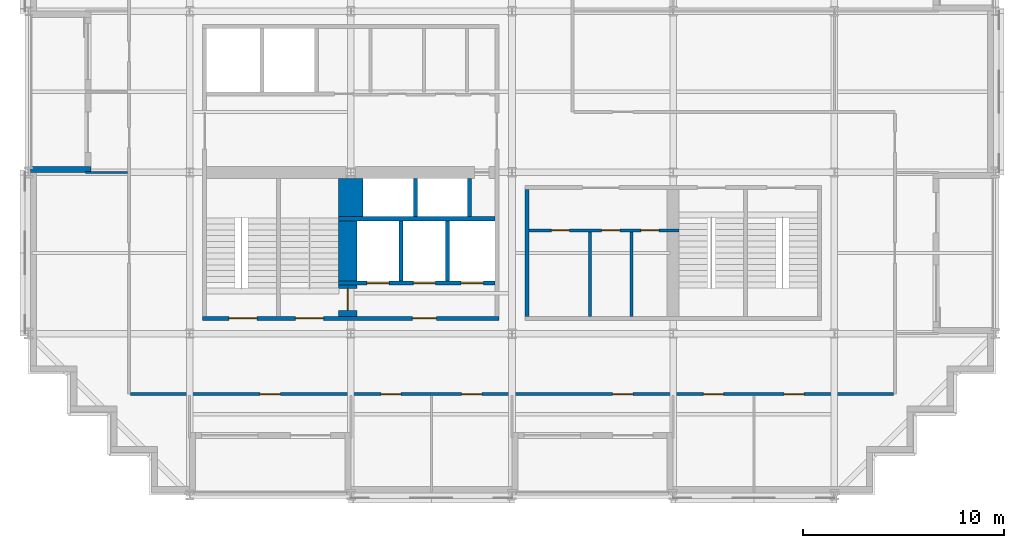
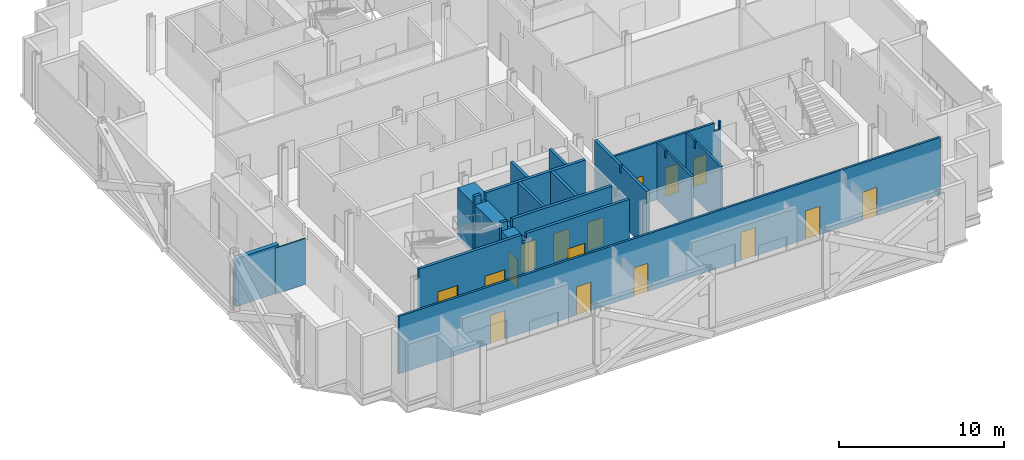
# One storey, part 5 of 12: 17 walls, 16 doors, 16 openings.
"""IFC4 building model written with IfcOpenShell, lengths in metres."""

from ifc_helpers import new_model, si_unit, direction, frame, frame_2d, origin, place, context, subcontext, project, spatial, polyline, rectangle, outline, extrude, material, layer, layer_set, type_object, element, fill, save


model = new_model("IFC4")

# Units and contexts
model_context = context("Model", 3, precision=1e-05, world=origin(), true_north=direction((0.0, 1.0)))
body_context = subcontext(model_context, "Body", "Model", "MODEL_VIEW")
ifc_project = project(units=[si_unit("LENGTHUNIT", "METRE"), si_unit("AREAUNIT", "SQUARE_METRE"), si_unit("VOLUMEUNIT", "CUBIC_METRE"), si_unit("PLANEANGLEUNIT", "RADIAN"), si_unit("MASSUNIT", "GRAM", prefix="KILO")], contexts=[model_context])

# Site, building, storey
site_placement = place(None, origin())
site = spatial("IfcSite", under=ifc_project, at=site_placement, CompositionType="ELEMENT")
building_placement = place(site_placement, origin())
building = spatial("IfcBuilding", under=site, at=building_placement, Name="Immortelle Media Tower", CompositionType="ELEMENT")
storey_placement = place(building_placement, frame((0.0, 0.0, 52.39990234375)))
storey = spatial("IfcBuildingStorey", under=building, at=storey_placement, Name="L08", CompositionType="ELEMENT", Elevation=52.39990234375)

# Wall, openings, doors
ifc_material_1 = material(Name="Fire-rated gypsum board", Category="gypsum")
ifc_layer_1 = layer(ifc_material_1, 0.02490234375)
ifc_material_2 = material(Name="Steel ASTM A653 SS Gr 50 stud frame with mineral wool", Category="steel")
ifc_layer_2 = layer(ifc_material_2, 0.10009765625)
ifc_layer_3 = layer(ifc_material_1, 0.02490234375)
ifc_layer_set_1 = layer_set([ifc_layer_1, ifc_layer_2, ifc_layer_3], Name="Steel ASTM A653 SS Gr 50 stud frame with mineral wool")
wall_type_1 = type_object("IfcWallType", Name="Core partition 150", PredefinedType="PARTITIONING", material=ifc_layer_set_1)
wall_1_placement = place(storey_placement, frame((24.85009765625, 13.125, 0.0), z_axis=(0.0, 0.0, 1.0), x_axis=(1.0, 0.0, 0.0)))
wall_1 = element("IfcWall", 1, at=wall_1_placement, inside=storey, type_object=wall_type_1, Name="Core partition SE", PredefinedType="PARTITIONING", context=body_context, shape_type="SweptSolid", body=[
    extrude(outline(polyline([(0.0, 0.0), (7.449951171875, 0.0), (7.449951171875, 4.25), (7.31689453125, 4.25), (7.31591796875, 3.632080078125), (6.98388671875, 3.632080078125), (6.98291015625, 4.25), (0.0, 4.25), (0.0, 0.0)])), frame((0.0, 0.074951171875, 0.0), z_axis=(0.0, -1.0, 0.0), x_axis=(1.0, 0.0, 0.0)), (0.0, 0.0, 1.0), 0.14990234375),
])
opening_1_placement = place(wall_1_placement, frame((2.0, 0.0, 0.0), z_axis=(0.0, 0.0, 1.0), x_axis=(-1.0, 0.0, 0.0)))
opening_1 = element("IfcOpeningElement", 2, at=opening_1_placement, cuts=wall_1, Name="Opening N2-K044", PredefinedType="OPENING", context=body_context, shape_type="SweptSolid", body=[
    extrude(rectangle(XDim=0.89990234375, YDim=2.10009765625, at=frame_2d((0.449951171875, 1.050048828125))), frame((0.0, 0.0849609375, 0.0), z_axis=(0.0, -1.0, 0.0), x_axis=(1.0, 0.0, 0.0)), (0.0, 0.0, 1.0), 0.169921875),
])
opening_2_placement = place(wall_1_placement, frame((4.5, 0.0, 0.0), z_axis=(0.0, 0.0, 1.0), x_axis=(-1.0, 0.0, 0.0)))
opening_2 = element("IfcOpeningElement", 3, at=opening_2_placement, cuts=wall_1, Name="Opening N2-K045", PredefinedType="OPENING", context=body_context, shape_type="SweptSolid", body=[
    extrude(rectangle(XDim=0.89990234375, YDim=2.10009765625, at=frame_2d((0.449951171875, 1.050048828125))), frame((0.0, 0.0849609375, 0.0), z_axis=(0.0, -1.0, 0.0), x_axis=(1.0, 0.0, 0.0)), (0.0, 0.0, 1.0), 0.169921875),
])
opening_3_placement = place(wall_1_placement, frame((6.449951171875, 0.0, 0.0), z_axis=(0.0, 0.0, 1.0), x_axis=(-1.0, 0.0, 0.0)))
opening_3 = element("IfcOpeningElement", 4, at=opening_3_placement, cuts=wall_1, Name="Opening N2-K046", PredefinedType="OPENING", context=body_context, shape_type="SweptSolid", body=[
    extrude(rectangle(XDim=0.89990234375, YDim=2.10009765625, at=frame_2d((0.449951171875, 1.050048828125))), frame((0.0, 0.0849609375, 0.0), z_axis=(0.0, -1.0, 0.0), x_axis=(1.0, 0.0, 0.0)), (0.0, 0.0, 1.0), 0.169921875),
])
ifc_material_3 = material(Name="Timber", Category="wood")
door_type_1 = type_object("IfcDoorType", Name="Room door 900 x 2100", OperationType="NOTDEFINED", PredefinedType="NOTDEFINED", material=ifc_material_3)
door_1_placement = place(opening_1_placement, origin())
door_1 = element("IfcDoor", 5, at=door_1_placement, inside=storey, type_object=door_type_1, Name="Room N2-K044", OperationType="SINGLE_SWING_LEFT", OverallHeight=2.10009765625, OverallWidth=0.89990234375, PredefinedType="NOTDEFINED", context=body_context, shape_type="SweptSolid", body=[
    extrude(rectangle(XDim=0.89990234375, YDim=2.10009765625, at=frame_2d((0.449951171875, 1.050048828125))), frame((0.0, 0.02490234375, 0.0), z_axis=(0.0, -1.0, 0.0), x_axis=(1.0, 0.0, 0.0)), (0.0, 0.0, 1.0), 0.050048828125),
])
fill(opening_1, door_1)
door_2_placement = place(opening_2_placement, origin())
door_2 = element("IfcDoor", 6, at=door_2_placement, inside=storey, type_object=door_type_1, Name="Room N2-K045", OperationType="SINGLE_SWING_RIGHT", OverallHeight=2.10009765625, OverallWidth=0.89990234375, PredefinedType="NOTDEFINED", context=body_context, shape_type="SweptSolid", body=[
    extrude(rectangle(XDim=0.89990234375, YDim=2.10009765625, at=frame_2d((0.449951171875, 1.050048828125))), frame((0.0, 0.02490234375, 0.0), z_axis=(0.0, -1.0, 0.0), x_axis=(1.0, 0.0, 0.0)), (0.0, 0.0, 1.0), 0.050048828125),
])
fill(opening_2, door_2)
ifc_material_4 = material(Name="Galvanised steel door leaf and frame ASTM A653", Category="steel")
door_type_2 = type_object("IfcDoorType", Name="Service door 900 x 2100", OperationType="NOTDEFINED", PredefinedType="NOTDEFINED", material=ifc_material_4)
door_3_placement = place(opening_3_placement, origin())
door_3 = element("IfcDoor", 7, at=door_3_placement, inside=storey, type_object=door_type_2, Name="Service N2-K046", OperationType="SINGLE_SWING_LEFT", OverallHeight=2.10009765625, OverallWidth=0.89990234375, PredefinedType="NOTDEFINED", context=body_context, shape_type="SweptSolid", body=[
    extrude(rectangle(XDim=0.89990234375, YDim=2.10009765625, at=frame_2d((0.449951171875, 1.050048828125))), frame((0.0, 0.02490234375, 0.0), z_axis=(0.0, -1.0, 0.0), x_axis=(1.0, 0.0, 0.0)), (0.0, 0.0, 1.0), 0.050048828125),
])
fill(opening_3, door_3)

# Walls
for number, where, z_axis, x_axis, name in (
    (8, (27.875, 8.85009765625, 0.0), (0.0, 0.0, 1.0), (0.0, 1.0, 0.0), "Core partition SE"),
    (9, (29.925048828125, 8.85009765625, 0.0), (0.0, 0.0, 1.0), (0.0, 1.0, 0.0), "Core partition SE"),
):
    element("IfcWall", number, at=place(storey_placement, frame(where, z_axis=z_axis, x_axis=x_axis)), inside=storey, type_object=wall_type_1, Name=name, PredefinedType="PARTITIONING", context=body_context, shape_type="SweptSolid", body=[
        extrude(outline(polyline([(0.0, 0.0), (4.199951171875, 0.0), (4.199951171875, 4.25), (3.238525390625, 4.25), (3.237548828125, 3.7080078125), (3.0625, 3.7080078125), (3.0615234375, 4.25), (0.0, 4.25), (0.0, 0.0)])), frame((0.0, 0.074951171875, 0.0), z_axis=(0.0, -1.0, 0.0), x_axis=(1.0, 0.0, 0.0)), (0.0, 0.0, 1.0), 0.14990234375),
    ])

# Wall, openings, doors
ifc_layer_4 = layer(ifc_material_1, 0.03759765625)
ifc_layer_5 = layer(ifc_material_2, 0.125)
ifc_layer_6 = layer(ifc_material_1, 0.03759765625)
ifc_layer_set_2 = layer_set([ifc_layer_4, ifc_layer_5, ifc_layer_6], Name="Steel ASTM A653 SS Gr 50 stud frame with mineral wool")
wall_type_2 = type_object("IfcWallType", Name="Core shaft wall 200", PredefinedType="PARTITIONING", material=ifc_layer_set_2)
wall_2_placement = place(storey_placement, frame((15.39990234375, 10.5, 0.0), z_axis=(0.0, 0.0, 1.0), x_axis=(1.0, 0.0, 0.0)))
wall_2 = element("IfcWall", 10, at=wall_2_placement, inside=storey, type_object=wall_type_2, Name="Core shaft wall SW", PredefinedType="PARTITIONING", context=body_context, shape_type="SweptSolid", body=[
    extrude(outline(polyline([(0.0, 0.0), (7.75, 0.0), (7.75, 4.25), (0.76708984375, 4.25), (0.76611328125, 3.632080078125), (0.43408203125, 3.632080078125), (0.43310546875, 4.25), (0.0, 4.25), (0.0, 0.0)])), frame((0.0, 0.10009765625, 0.0), z_axis=(0.0, -1.0, 0.0), x_axis=(1.0, 0.0, 0.0)), (0.0, 0.0, 1.0), 0.199951171875),
])
opening_4_placement = place(wall_2_placement, frame((1.39990234375, 0.0, 0.0)))
opening_4 = element("IfcOpeningElement", 11, at=opening_4_placement, cuts=wall_2, Name="Opening LD", PredefinedType="OPENING", context=body_context, shape_type="SweptSolid", body=[
    extrude(rectangle(XDim=1.10009765625, YDim=2.10009765625, at=frame_2d((0.550048828125, 1.050048828125))), frame((0.0, 0.10986328125, 0.0), z_axis=(0.0, -1.0, 0.0), x_axis=(1.0, 0.0, 0.0)), (0.0, 0.0, 1.0), 0.219970703125),
])
opening_5_placement = place(wall_2_placement, frame((3.699951171875, 0.0, 0.0)))
opening_5 = element("IfcOpeningElement", 12, at=opening_5_placement, cuts=wall_2, Name="Opening LD", PredefinedType="OPENING", context=body_context, shape_type="SweptSolid", body=[
    extrude(rectangle(XDim=1.10009765625, YDim=2.10009765625, at=frame_2d((0.550048828125, 1.050048828125))), frame((0.0, 0.10986328125, 0.0), z_axis=(0.0, -1.0, 0.0), x_axis=(1.0, 0.0, 0.0)), (0.0, 0.0, 1.0), 0.219970703125),
])
opening_6_placement = place(wall_2_placement, frame((6.074951171875, 0.0, 0.0)))
opening_6 = element("IfcOpeningElement", 13, at=opening_6_placement, cuts=wall_2, Name="Opening LD", PredefinedType="OPENING", context=body_context, shape_type="SweptSolid", body=[
    extrude(rectangle(XDim=1.10009765625, YDim=2.10009765625, at=frame_2d((0.550048828125, 1.050048828125))), frame((0.0, 0.10986328125, 0.0), z_axis=(0.0, -1.0, 0.0), x_axis=(1.0, 0.0, 0.0)), (0.0, 0.0, 1.0), 0.219970703125),
])
ifc_material_5 = material(Name="Stainless steel AISI 304", Category="steel")
door_type_3 = type_object("IfcDoorType", Name="Landing door 1100 x 2100", OperationType="SLIDING_TO_LEFT", PredefinedType="NOTDEFINED", material=ifc_material_5)
door_4_placement = place(opening_4_placement, origin())
door_4 = element("IfcDoor", 14, at=door_4_placement, inside=storey, type_object=door_type_3, Name="Landing door FF1 L08", OperationType="SLIDING_TO_LEFT", OverallHeight=2.10009765625, OverallWidth=1.10009765625, PredefinedType="NOTDEFINED", context=body_context, shape_type="SweptSolid", body=[
    extrude(rectangle(XDim=1.10009765625, YDim=2.10009765625, at=frame_2d((0.550048828125, 1.050048828125))), frame((0.0, 0.02490234375, 0.0), z_axis=(0.0, -1.0, 0.0), x_axis=(1.0, 0.0, 0.0)), (0.0, 0.0, 1.0), 0.050048828125),
])
fill(opening_4, door_4)
door_5_placement = place(opening_5_placement, origin())
door_5 = element("IfcDoor", 15, at=door_5_placement, inside=storey, type_object=door_type_3, Name="Landing door FF2 L08", OperationType="SLIDING_TO_LEFT", OverallHeight=2.10009765625, OverallWidth=1.10009765625, PredefinedType="NOTDEFINED", context=body_context, shape_type="SweptSolid", body=[
    extrude(rectangle(XDim=1.10009765625, YDim=2.10009765625, at=frame_2d((0.550048828125, 1.050048828125))), frame((0.0, 0.02490234375, 0.0), z_axis=(0.0, -1.0, 0.0), x_axis=(1.0, 0.0, 0.0)), (0.0, 0.0, 1.0), 0.050048828125),
])
fill(opening_5, door_5)
door_6_placement = place(opening_6_placement, origin())
door_6 = element("IfcDoor", 16, at=door_6_placement, inside=storey, type_object=door_type_3, Name="Landing door FF3 L08", OperationType="SLIDING_TO_LEFT", OverallHeight=2.10009765625, OverallWidth=1.10009765625, PredefinedType="NOTDEFINED", context=body_context, shape_type="SweptSolid", body=[
    extrude(rectangle(XDim=1.10009765625, YDim=2.10009765625, at=frame_2d((0.550048828125, 1.050048828125))), frame((0.0, 0.02490234375, 0.0), z_axis=(0.0, -1.0, 0.0), x_axis=(1.0, 0.0, 0.0)), (0.0, 0.0, 1.0), 0.050048828125),
])
fill(opening_6, door_6)

# Walls
wall_3_placement = place(storey_placement, frame((15.39990234375, 13.699951171875, 0.0), z_axis=(0.0, 0.0, 1.0), x_axis=(1.0, 0.0, 0.0)))
element("IfcWall", 17, at=wall_3_placement, inside=storey, type_object=wall_type_2, Name="Core shaft wall SW", PredefinedType="PARTITIONING", context=body_context, shape_type="SweptSolid", body=[
    extrude(outline(polyline([(0.0, 0.0), (7.75, 0.0), (7.75, 4.25), (0.76708984375, 4.25), (0.76611328125, 3.632080078125), (0.43408203125, 3.632080078125), (0.43310546875, 4.25), (0.0, 4.25), (0.0, 0.0)])), frame((0.0, 0.10009765625, 0.0), z_axis=(0.0, -1.0, 0.0), x_axis=(1.0, 0.0, 0.0)), (0.0, 0.0, 1.0), 0.199951171875),
])
wall_4_placement = place(storey_placement, frame((18.5, 10.60009765625, 0.0), z_axis=(0.0, 0.0, 1.0), x_axis=(0.0, 1.0, 0.0)))
element("IfcWall", 18, at=wall_4_placement, inside=storey, type_object=wall_type_2, Name="Core shaft wall SW", PredefinedType="PARTITIONING", context=body_context, shape_type="SweptSolid", body=[
    extrude(rectangle(XDim=3.0, YDim=0.199951171875, at=frame_2d((1.5, 0.0))), origin(), (0.0, 0.0, 1.0), 4.25),
])
wall_5_placement = place(storey_placement, frame((19.199951171875, 13.800048828125, 0.0), z_axis=(0.0, 0.0, 1.0), x_axis=(0.0, 1.0, 0.0)))
element("IfcWall", 19, at=wall_5_placement, inside=storey, type_object=wall_type_2, Name="Core shaft wall SW", PredefinedType="PARTITIONING", context=body_context, shape_type="SweptSolid", body=[
    extrude(rectangle(XDim=1.89990234375, YDim=0.199951171875, at=frame_2d((0.949951171875, 0.0))), origin(), (0.0, 0.0, 1.0), 4.25),
])
wall_6_placement = place(storey_placement, frame((20.800048828125, 10.60009765625, 0.0), z_axis=(0.0, 0.0, 1.0), x_axis=(0.0, 1.0, 0.0)))
element("IfcWall", 20, at=wall_6_placement, inside=storey, type_object=wall_type_2, Name="Core shaft wall SW", PredefinedType="PARTITIONING", context=body_context, shape_type="SweptSolid", body=[
    extrude(rectangle(XDim=3.0, YDim=0.199951171875, at=frame_2d((1.5, 0.0))), origin(), (0.0, 0.0, 1.0), 4.25),
])
wall_7_placement = place(storey_placement, frame((21.89990234375, 13.800048828125, 0.0), z_axis=(0.0, 0.0, 1.0), x_axis=(0.0, 1.0, 0.0)))
element("IfcWall", 21, at=wall_7_placement, inside=storey, type_object=wall_type_2, Name="Core shaft wall SW", PredefinedType="PARTITIONING", context=body_context, shape_type="SweptSolid", body=[
    extrude(rectangle(XDim=1.89990234375, YDim=0.199951171875, at=frame_2d((0.949951171875, 0.0))), origin(), (0.0, 0.0, 1.0), 4.25),
])
wall_8_placement = place(storey_placement, frame((24.75, 8.85009765625, 0.0), z_axis=(0.0, 0.0, 1.0), x_axis=(0.0, 1.0, 0.0)))
element("IfcWall", 22, at=wall_8_placement, inside=storey, type_object=wall_type_2, Name="Core shaft wall SE", PredefinedType="PARTITIONING", context=body_context, shape_type="SweptSolid", body=[
    extrude(outline(polyline([(0.0, 0.0), (6.2998046875, 0.0), (6.300048828125, 4.25), (3.238525390625, 4.25), (3.237548828125, 3.7080078125), (3.0625, 3.7080078125), (3.0615234375, 4.25), (0.0, 4.25), (0.0, 0.0)])), frame((0.0, 0.10009765625, 0.0), z_axis=(0.0, -1.0, 0.0), x_axis=(1.0, 0.0, 0.0)), (0.0, 0.0, 1.0), 0.199951171875),
])

# Wall, openings, doors
ifc_layer_7 = layer(ifc_material_1, 0.012451171875)
ifc_layer_8 = layer(ifc_material_2, 0.125)
ifc_layer_9 = layer(ifc_material_1, 0.012451171875)
ifc_layer_set_3 = layer_set([ifc_layer_7, ifc_layer_8, ifc_layer_9], Name="Steel ASTM A653 SS Gr 50 stud frame with mineral wool")
wall_type_3 = type_object("IfcWallType", Name="Corridor wall 150", PredefinedType="PARTITIONING", material=ifc_layer_set_3)
wall_9_placement = place(storey_placement, frame((5.074951171875, 5.0, 0.0), z_axis=(0.0, 0.0, 1.0), x_axis=(1.0, 0.0, 0.0)))
wall_9 = element("IfcWall", 23, at=wall_9_placement, inside=storey, type_object=wall_type_3, Name="Partition L08-007", PredefinedType="PARTITIONING", context=body_context, shape_type="SweptSolid", body=[
    extrude(rectangle(XDim=37.85009765625, YDim=0.14990234375, at=frame_2d((18.925048828125, 0.0))), origin(), (0.0, 0.0, 1.0), 4.25),
])
opening_7_placement = place(wall_9_placement, frame((13.425048828125, 0.0, 0.0), z_axis=(0.0, 0.0, 1.0), x_axis=(-1.0, 0.0, 0.0)))
opening_7 = element("IfcOpeningElement", 24, at=opening_7_placement, cuts=wall_9, Name="Opening N2-F001", PredefinedType="OPENING", context=body_context, shape_type="SweptSolid", body=[
    extrude(rectangle(XDim=1.0, YDim=2.10009765625, at=frame_2d((0.5, 1.050048828125))), frame((0.0, 0.0849609375, 0.0), z_axis=(0.0, -1.0, 0.0), x_axis=(1.0, 0.0, 0.0)), (0.0, 0.0, 1.0), 0.169921875),
])
opening_8_placement = place(wall_9_placement, frame((17.425048828125, 0.0, 0.0), z_axis=(0.0, 0.0, 1.0), x_axis=(-1.0, 0.0, 0.0)))
opening_8 = element("IfcOpeningElement", 25, at=opening_8_placement, cuts=wall_9, Name="Opening N2-F002", PredefinedType="OPENING", context=body_context, shape_type="SweptSolid", body=[
    extrude(rectangle(XDim=1.0, YDim=2.10009765625, at=frame_2d((0.5, 1.050048828125))), frame((0.0, 0.0849609375, 0.0), z_axis=(0.0, -1.0, 0.0), x_axis=(1.0, 0.0, 0.0)), (0.0, 0.0, 1.0), 0.169921875),
])
opening_9_placement = place(wall_9_placement, frame((29.425048828125, 0.0, 0.0), z_axis=(0.0, 0.0, 1.0), x_axis=(-1.0, 0.0, 0.0)))
opening_9 = element("IfcOpeningElement", 26, at=opening_9_placement, cuts=wall_9, Name="Opening N2-F003", PredefinedType="OPENING", context=body_context, shape_type="SweptSolid", body=[
    extrude(rectangle(XDim=1.0, YDim=2.10009765625, at=frame_2d((0.5, 1.050048828125))), frame((0.0, 0.0849609375, 0.0), z_axis=(0.0, -1.0, 0.0), x_axis=(1.0, 0.0, 0.0)), (0.0, 0.0, 1.0), 0.169921875),
])
opening_10_placement = place(wall_9_placement, frame((33.425048828125, 0.0, 0.0), z_axis=(0.0, 0.0, 1.0), x_axis=(-1.0, 0.0, 0.0)))
opening_10 = element("IfcOpeningElement", 27, at=opening_10_placement, cuts=wall_9, Name="Opening N2-F004", PredefinedType="OPENING", context=body_context, shape_type="SweptSolid", body=[
    extrude(rectangle(XDim=1.0, YDim=2.10009765625, at=frame_2d((0.5, 1.050048828125))), frame((0.0, 0.0849609375, 0.0), z_axis=(0.0, -1.0, 0.0), x_axis=(1.0, 0.0, 0.0)), (0.0, 0.0, 1.0), 0.169921875),
])
opening_11_placement = place(wall_9_placement, frame((7.425048828125, 0.0, 0.0), z_axis=(0.0, 0.0, 1.0), x_axis=(-1.0, 0.0, 0.0)))
opening_11 = element("IfcOpeningElement", 28, at=opening_11_placement, cuts=wall_9, Name="Opening N2-F005", PredefinedType="OPENING", context=body_context, shape_type="SweptSolid", body=[
    extrude(rectangle(XDim=1.0, YDim=2.10009765625, at=frame_2d((0.5, 1.050048828125))), frame((0.0, 0.0849609375, 0.0), z_axis=(0.0, -1.0, 0.0), x_axis=(1.0, 0.0, 0.0)), (0.0, 0.0, 1.0), 0.169921875),
])
opening_12_placement = place(wall_9_placement, frame((24.925048828125, 0.0, 0.0), z_axis=(0.0, 0.0, 1.0), x_axis=(-1.0, 0.0, 0.0)))
opening_12 = element("IfcOpeningElement", 29, at=opening_12_placement, cuts=wall_9, Name="Opening N2-F006", PredefinedType="OPENING", context=body_context, shape_type="SweptSolid", body=[
    extrude(rectangle(XDim=1.0, YDim=2.10009765625, at=frame_2d((0.5, 1.050048828125))), frame((0.0, 0.0849609375, 0.0), z_axis=(0.0, -1.0, 0.0), x_axis=(1.0, 0.0, 0.0)), (0.0, 0.0, 1.0), 0.169921875),
])
ifc_material_6 = material(Name="Timber veneered door leaf, galvanised steel frame ASTM A653", Category="steel")
door_type_4 = type_object("IfcDoorType", Name="Room door 1000 x 2100", OperationType="NOTDEFINED", PredefinedType="DOOR", material=ifc_material_6)
door_7_placement = place(opening_7_placement, origin())
door_7 = element("IfcDoor", 30, at=door_7_placement, inside=storey, type_object=door_type_4, Name="Door N2-F001", OperationType="SINGLE_SWING_RIGHT", OverallHeight=2.10009765625, OverallWidth=1.0, PredefinedType="DOOR", context=body_context, shape_type="SweptSolid", body=[
    extrude(rectangle(XDim=1.0, YDim=2.10009765625, at=frame_2d((0.5, 1.050048828125))), frame((0.0, 0.02490234375, 0.0), z_axis=(0.0, -1.0, 0.0), x_axis=(1.0, 0.0, 0.0)), (0.0, 0.0, 1.0), 0.050048828125),
])
fill(opening_7, door_7)
door_8_placement = place(opening_8_placement, origin())
door_8 = element("IfcDoor", 31, at=door_8_placement, inside=storey, type_object=door_type_4, Name="Door N2-F002", OperationType="SINGLE_SWING_RIGHT", OverallHeight=2.10009765625, OverallWidth=1.0, PredefinedType="DOOR", context=body_context, shape_type="SweptSolid", body=[
    extrude(rectangle(XDim=1.0, YDim=2.10009765625, at=frame_2d((0.5, 1.050048828125))), frame((0.0, 0.02490234375, 0.0), z_axis=(0.0, -1.0, 0.0), x_axis=(1.0, 0.0, 0.0)), (0.0, 0.0, 1.0), 0.050048828125),
])
fill(opening_8, door_8)
door_9_placement = place(opening_9_placement, origin())
door_9 = element("IfcDoor", 32, at=door_9_placement, inside=storey, type_object=door_type_4, Name="Door N2-F003", OperationType="SINGLE_SWING_LEFT", OverallHeight=2.10009765625, OverallWidth=1.0, PredefinedType="DOOR", context=body_context, shape_type="SweptSolid", body=[
    extrude(rectangle(XDim=1.0, YDim=2.10009765625, at=frame_2d((0.5, 1.050048828125))), frame((0.0, 0.02490234375, 0.0), z_axis=(0.0, -1.0, 0.0), x_axis=(1.0, 0.0, 0.0)), (0.0, 0.0, 1.0), 0.050048828125),
])
fill(opening_9, door_9)
door_10_placement = place(opening_10_placement, origin())
door_10 = element("IfcDoor", 33, at=door_10_placement, inside=storey, type_object=door_type_4, Name="Door N2-F004", OperationType="SINGLE_SWING_RIGHT", OverallHeight=2.10009765625, OverallWidth=1.0, PredefinedType="DOOR", context=body_context, shape_type="SweptSolid", body=[
    extrude(rectangle(XDim=1.0, YDim=2.10009765625, at=frame_2d((0.5, 1.050048828125))), frame((0.0, 0.02490234375, 0.0), z_axis=(0.0, -1.0, 0.0), x_axis=(1.0, 0.0, 0.0)), (0.0, 0.0, 1.0), 0.050048828125),
])
fill(opening_10, door_10)
door_11_placement = place(opening_11_placement, origin())
door_11 = element("IfcDoor", 34, at=door_11_placement, inside=storey, type_object=door_type_4, Name="Door N2-F005", OperationType="SINGLE_SWING_LEFT", OverallHeight=2.10009765625, OverallWidth=1.0, PredefinedType="DOOR", context=body_context, shape_type="SweptSolid", body=[
    extrude(rectangle(XDim=1.0, YDim=2.10009765625, at=frame_2d((0.5, 1.050048828125))), frame((0.0, 0.02490234375, 0.0), z_axis=(0.0, -1.0, 0.0), x_axis=(1.0, 0.0, 0.0)), (0.0, 0.0, 1.0), 0.050048828125),
])
fill(opening_11, door_11)
door_12_placement = place(opening_12_placement, origin())
door_12 = element("IfcDoor", 35, at=door_12_placement, inside=storey, type_object=door_type_4, Name="Door N2-F006", OperationType="SINGLE_SWING_LEFT", OverallHeight=2.10009765625, OverallWidth=1.0, PredefinedType="DOOR", context=body_context, shape_type="SweptSolid", body=[
    extrude(rectangle(XDim=1.0, YDim=2.10009765625, at=frame_2d((0.5, 1.050048828125))), frame((0.0, 0.02490234375, 0.0), z_axis=(0.0, -1.0, 0.0), x_axis=(1.0, 0.0, 0.0)), (0.0, 0.0, 1.0), 0.050048828125),
])
fill(opening_12, door_12)

# Walls
ifc_material_7 = material(Name="Pale aluminium cladding panel", Category="aluminium")
ifc_layer_10 = layer(ifc_material_7, 0.030029296875)
ifc_layer_11 = layer(ifc_material_2, 0.257568359375)
ifc_material_8 = material(Name="Moisture-resistant gypsum board", Category="gypsum")
ifc_layer_12 = layer(ifc_material_8, 0.012451171875)
ifc_layer_set_4 = layer_set([ifc_layer_10, ifc_layer_11, ifc_layer_12], Name="Steel ASTM A653 SS Gr 50 stud frame with mineral wool")
wall_type_4 = type_object("IfcWallType", Name="Facade wall 300", PredefinedType="SOLIDWALL", material=ifc_layer_set_4)
wall_10_placement = place(storey_placement, frame((0.10009765625, 16.14990234375, 0.0), z_axis=(0.0, 0.0, 1.0), x_axis=(1.0, 0.0, 0.0)))
element("IfcWall", 36, at=wall_10_placement, inside=storey, type_object=wall_type_4, Name="Loggia cheek wall L08 W", PredefinedType="SOLIDWALL", context=body_context, shape_type="SweptSolid", body=[
    extrude(rectangle(XDim=3.0, YDim=0.300048828125, at=frame_2d((1.5, 0.0))), origin(), (0.0, 0.0, 1.0), 3.552978515625),
])
ifc_material_9 = material(Name="Gypsum board", Category="gypsum")
ifc_layer_13 = layer(ifc_material_9, 0.012451171875)
ifc_layer_14 = layer(ifc_material_2, 0.074951171875)
ifc_layer_15 = layer(ifc_material_9, 0.012451171875)
ifc_layer_set_5 = layer_set([ifc_layer_13, ifc_layer_14, ifc_layer_15], Name="Steel ASTM A653 SS Gr 50 stud frame with mineral wool")
wall_type_5 = type_object("IfcWallType", Name="Partition 100", PredefinedType="PARTITIONING", material=ifc_layer_set_5)
wall_11_placement = place(storey_placement, frame((2.830078125, 16.0, 0.0), z_axis=(0.0, 0.0, 1.0), x_axis=(1.0, 0.0, 0.0)))
element("IfcWall", 37, at=wall_11_placement, inside=storey, type_object=wall_type_5, Name="Partition L08-011", PredefinedType="PARTITIONING", context=body_context, shape_type="SweptSolid", body=[
    extrude(rectangle(XDim=2.094970703125, YDim=0.10009765625, at=frame_2d((1.04736328125, 0.0))), origin(), (0.0, 0.0, 1.0), 3.39111328125),
])
ifc_material_10 = material(Name="Concrete C60", Category="concrete")
ifc_layer_16 = layer(ifc_material_10, 1.199951171875)
ifc_layer_set_6 = layer_set([ifc_layer_16], Name="Concrete C60")
wall_type_6 = type_object("IfcWallType", Name="Stair shaft wall 1200", PredefinedType="PARTITIONING", material=ifc_layer_set_6)
wall_12_placement = place(storey_placement, frame((16.0, 13.800048828125, 0.0), z_axis=(0.0, 0.0, 1.0), x_axis=(0.0, 1.0, 0.0)))
element("IfcWall", 38, at=wall_12_placement, inside=storey, type_object=wall_type_6, Name="Stair shaft wall SW", PredefinedType="PARTITIONING", context=body_context, shape_type="SweptSolid", body=[
    extrude(rectangle(XDim=1.89990234375, YDim=1.199951171875, at=frame_2d((0.949951171875, 0.0))), origin(), (0.0, 0.0, 1.0), 3.632080078125),
])

# Wall, openings, doors
ifc_layer_17 = layer(ifc_material_10, 0.199951171875)
ifc_layer_set_7 = layer_set([ifc_layer_17], Name="Concrete C60")
wall_type_7 = type_object("IfcWallType", Name="Stair shaft wall 200", PredefinedType="PARTITIONING", material=ifc_layer_set_7)
wall_13_placement = place(storey_placement, frame((8.64990234375, 8.75, 0.0), z_axis=(0.0, 0.0, 1.0), x_axis=(1.0, 0.0, 0.0)))
wall_13 = element("IfcWall", 39, at=wall_13_placement, inside=storey, type_object=wall_type_7, Name="Stair shaft wall SW", PredefinedType="PARTITIONING", context=body_context, shape_type="SweptSolid", body=[
    extrude(outline(polyline([(0.0, 0.0), (14.7001953125, 0.0), (14.699951171875, 4.25), (7.51708984375, 4.25), (7.51611328125, 3.632080078125), (7.18408203125, 3.632080078125), (7.18310546875, 4.25), (0.0, 4.25), (0.0, 0.0)])), frame((0.0, 0.10009765625, 0.0), z_axis=(0.0, -1.0, 0.0), x_axis=(1.0, 0.0, 0.0)), (0.0, 0.0, 1.0), 0.199951171875),
])
opening_13_placement = place(wall_13_placement, frame((1.300048828125, 0.0, 0.0)))
opening_13 = element("IfcOpeningElement", 40, at=opening_13_placement, cuts=wall_13, Name="Opening N2-K002", PredefinedType="OPENING", context=body_context, shape_type="SweptSolid", body=[
    extrude(rectangle(XDim=1.39990234375, YDim=2.10009765625, at=frame_2d((0.699951171875, 1.050048828125))), frame((0.0, 0.10986328125, 0.0), z_axis=(0.0, -1.0, 0.0), x_axis=(1.0, 0.0, 0.0)), (0.0, 0.0, 1.0), 0.219970703125),
])
opening_14_placement = place(wall_13_placement, frame((4.60009765625, 0.0, 0.0)))
opening_14 = element("IfcOpeningElement", 41, at=opening_14_placement, cuts=wall_13, Name="Opening N2-K004", PredefinedType="OPENING", context=body_context, shape_type="SweptSolid", body=[
    extrude(rectangle(XDim=1.39990234375, YDim=2.10009765625, at=frame_2d((0.699951171875, 1.050048828125))), frame((0.0, 0.10986328125, 0.0), z_axis=(0.0, -1.0, 0.0), x_axis=(1.0, 0.0, 0.0)), (0.0, 0.0, 1.0), 0.219970703125),
])
opening_15_placement = place(wall_13_placement, frame((10.39990234375, 0.0, 0.0)))
opening_15 = element("IfcOpeningElement", 42, at=opening_15_placement, cuts=wall_13, Name="Opening N2-K010", PredefinedType="OPENING", context=body_context, shape_type="SweptSolid", body=[
    extrude(rectangle(XDim=1.199951171875, YDim=2.10009765625, at=frame_2d((0.60009765625, 1.050048828125))), frame((0.0, 0.10986328125, 0.0), z_axis=(0.0, -1.0, 0.0), x_axis=(1.0, 0.0, 0.0)), (0.0, 0.0, 1.0), 0.219970703125),
])
door_type_5 = type_object("IfcDoorType", Name="Fire-fighting lobby door 1200 x 2100", OperationType="NOTDEFINED", PredefinedType="NOTDEFINED", material=ifc_material_4)
door_13_placement = place(opening_15_placement, origin())
door_13 = element("IfcDoor", 43, at=door_13_placement, inside=storey, type_object=door_type_5, Name="Fire-fighting lobby N2-K010", OperationType="SINGLE_SWING_RIGHT", OverallHeight=2.10009765625, OverallWidth=1.199951171875, PredefinedType="NOTDEFINED", context=body_context, shape_type="SweptSolid", body=[
    extrude(rectangle(XDim=1.199951171875, YDim=2.10009765625, at=frame_2d((0.60009765625, 1.050048828125))), frame((0.0, 0.02490234375, 0.0), z_axis=(0.0, -1.0, 0.0), x_axis=(1.0, 0.0, 0.0)), (0.0, 0.0, 1.0), 0.050048828125),
])
fill(opening_15, door_13)
door_type_6 = type_object("IfcDoorType", Name="Stair door 1400 x 2100", OperationType="DOUBLE_DOOR_SINGLE_SWING", PredefinedType="NOTDEFINED", material=ifc_material_4)
door_14_placement = place(opening_13_placement, origin())
door_14 = element("IfcDoor", 44, at=door_14_placement, inside=storey, type_object=door_type_6, Name="Stair N2-K002", OperationType="DOUBLE_DOOR_SINGLE_SWING", OverallHeight=2.10009765625, OverallWidth=1.39990234375, PredefinedType="NOTDEFINED", context=body_context, shape_type="SweptSolid", body=[
    extrude(rectangle(XDim=1.39990234375, YDim=2.10009765625, at=frame_2d((0.699951171875, 1.050048828125))), frame((0.0, 0.02490234375, 0.0), z_axis=(0.0, -1.0, 0.0), x_axis=(1.0, 0.0, 0.0)), (0.0, 0.0, 1.0), 0.050048828125),
])
fill(opening_13, door_14)
door_15_placement = place(opening_14_placement, origin())
door_15 = element("IfcDoor", 45, at=door_15_placement, inside=storey, type_object=door_type_6, Name="Stair N2-K004", OperationType="DOUBLE_DOOR_SINGLE_SWING", OverallHeight=2.10009765625, OverallWidth=1.39990234375, PredefinedType="NOTDEFINED", context=body_context, shape_type="SweptSolid", body=[
    extrude(rectangle(XDim=1.39990234375, YDim=2.10009765625, at=frame_2d((0.699951171875, 1.050048828125))), frame((0.0, 0.02490234375, 0.0), z_axis=(0.0, -1.0, 0.0), x_axis=(1.0, 0.0, 0.0)), (0.0, 0.0, 1.0), 0.050048828125),
])
fill(opening_14, door_15)

# Wall, opening, door
ifc_layer_18 = layer(ifc_material_10, 0.89990234375)
ifc_layer_set_8 = layer_set([ifc_layer_18], Name="Concrete C60")
wall_type_8 = type_object("IfcWallType", Name="Stair shaft wall 900", PredefinedType="PARTITIONING", material=ifc_layer_set_8)
wall_14_placement = place(storey_placement, frame((15.85009765625, 8.85009765625, 0.0), z_axis=(0.0, 0.0, 1.0), x_axis=(0.0, 1.0, 0.0)))
wall_14 = element("IfcWall", 46, at=wall_14_placement, inside=storey, type_object=wall_type_8, Name="Stair shaft wall SW", PredefinedType="PARTITIONING", context=body_context, shape_type="SweptSolid", body=[
    extrude(rectangle(XDim=1.5498046875, YDim=0.89990234375, at=frame_2d((0.77490234375, 0.0))), origin(), (0.0, 0.0, 1.0), 3.632080078125),
])
opening_16_placement = place(wall_14_placement, frame((0.300048828125, 0.0, 0.0)))
opening_16 = element("IfcOpeningElement", 47, at=opening_16_placement, cuts=wall_14, Name="Opening N2-K006", PredefinedType="OPENING", context=body_context, shape_type="SweptSolid", body=[
    extrude(rectangle(XDim=1.10009765625, YDim=2.10009765625, at=frame_2d((0.550048828125, 1.050048828125))), frame((0.0, 0.4599609375, 0.0), z_axis=(0.0, -1.0, 0.0), x_axis=(1.0, 0.0, 0.0)), (0.0, 0.0, 1.0), 0.919921875),
])
door_type_7 = type_object("IfcDoorType", Name="Stair lobby door 1100 x 2100", OperationType="NOTDEFINED", PredefinedType="NOTDEFINED", material=ifc_material_4)
door_16_placement = place(opening_16_placement, origin())
door_16 = element("IfcDoor", 48, at=door_16_placement, inside=storey, type_object=door_type_7, Name="Stair lobby N2-K006", OperationType="SINGLE_SWING_LEFT", OverallHeight=2.10009765625, OverallWidth=1.10009765625, PredefinedType="NOTDEFINED", context=body_context, shape_type="SweptSolid", body=[
    extrude(rectangle(XDim=1.10009765625, YDim=2.10009765625, at=frame_2d((0.550048828125, 1.050048828125))), frame((0.0, 0.02490234375, 0.0), z_axis=(0.0, -1.0, 0.0), x_axis=(1.0, 0.0, 0.0)), (0.0, 0.0, 1.0), 0.050048828125),
])
fill(opening_16, door_16)

# Wall
wall_15_placement = place(storey_placement, frame((15.85009765625, 10.60009765625, 0.0), z_axis=(0.0, 0.0, 1.0), x_axis=(0.0, 1.0, 0.0)))
element("IfcWall", 49, at=wall_15_placement, inside=storey, type_object=wall_type_8, Name="Stair shaft wall SW", PredefinedType="PARTITIONING", context=body_context, shape_type="SweptSolid", body=[
    extrude(rectangle(XDim=3.0, YDim=0.89990234375, at=frame_2d((1.5, 0.0))), origin(), (0.0, 0.0, 1.0), 3.632080078125),
])

save(model, "model.ifc")
